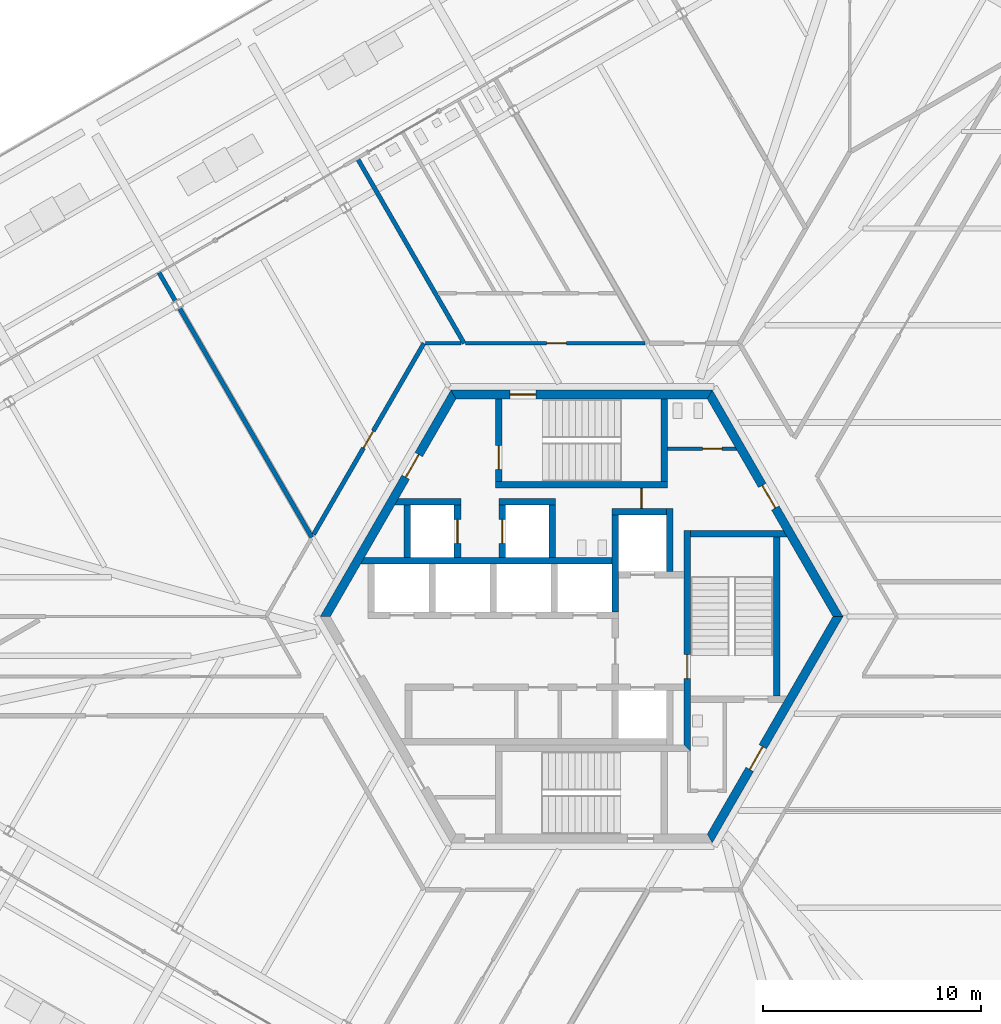
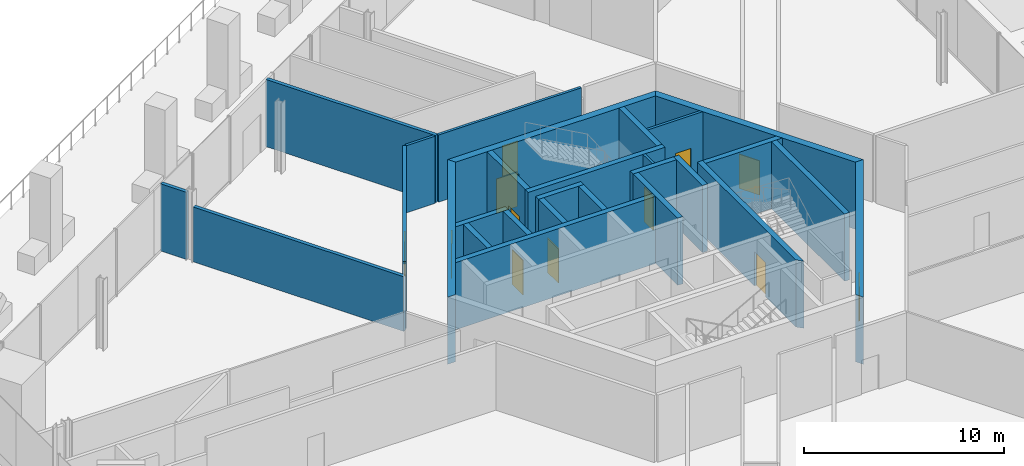
# One storey, part 28 of 38: 28 walls, 12 doors, 12 openings.
"""IFC4 building model written with IfcOpenShell, lengths in metres."""

import ifcopenshell
import ifcopenshell.guid

model = None  # the IFC model being written
_history = None  # IfcOwnerHistory: only IFC2X3 demands one
_inside = {}  # id of a spatial element -> (the spatial element, [elements in it])
_under = {}  # id of a project, library or spatial element -> (it, [spatial elements below it])
_declared = {}  # id of a project -> (the project, [libraries it declares])
_typed = {}  # id of a type object -> (the type object, [elements of that type])
_made_of = {}  # id of a material, layer set ... -> (it, [elements and type objects made of it])


def new_model(schema):
    """Start an empty IFC model of exactly this schema.

    Asked for "IFC4X3", IfcOpenShell would pick the latest addendum, in which some entities
    have other attributes; the version numbers below select the first issue.
    IFC2X3 requires an IfcOwnerHistory on every rooted entity: one is made here for all.
    """
    global model, _history
    if schema == "IFC4X3":
        model = ifcopenshell.file(schema_version=(4, 3, 0, 0))
    else:
        model = ifcopenshell.file(schema=schema)
    _inside.clear()
    _under.clear()
    _declared.clear()
    _typed.clear()
    _made_of.clear()
    _history = None
    if model.schema == "IFC2X3":
        org = make("IfcOrganization", Name="unknown")
        user = make(
            "IfcPersonAndOrganization",
            ThePerson=make("IfcPerson", FamilyName="unknown"),
            TheOrganization=org,
        )
        app = make(
            "IfcApplication",
            ApplicationDeveloper=org,
            Version="unknown",
            ApplicationFullName="unknown",
            ApplicationIdentifier="unknown",
        )
        _history = make(
            "IfcOwnerHistory",
            OwningUser=user,
            OwningApplication=app,
            ChangeAction="ADDED",
            CreationDate=0,
        )
    return model


def make(cls, **values):
    """One entity of the class cls with the attributes given. An attribute that is None is left unset."""
    return model.create_entity(
        cls, **{name: value for name, value in values.items() if value is not None}
    )


def rooted(cls, **values):
    """An entity with a GlobalId (a new one), such as an element, a storey or a relation."""
    return make(cls, GlobalId=ifcopenshell.guid.new(), OwnerHistory=_history, **values)


def si_unit(unit_type, name, prefix=None):
    """IfcSIUnit, for example si_unit("LENGTHUNIT", "METRE", prefix="MILLI")."""
    return make("IfcSIUnit", UnitType=unit_type, Prefix=prefix, Name=name)


def assignment(units):
    """IfcUnitAssignment: the units of a project."""
    return None if units is None else make("IfcUnitAssignment", Units=units)


def point(xyz):
    """IfcCartesianPoint."""
    return None if xyz is None else make("IfcCartesianPoint", Coordinates=xyz)


def direction(xyz):
    """IfcDirection."""
    return None if xyz is None else make("IfcDirection", DirectionRatios=xyz)


def frame(location, z_axis=None, x_axis=None):
    """IfcAxis2Placement3D, a coordinate frame: its origin and axes. An axis left out is left unset."""
    return make(
        "IfcAxis2Placement3D",
        Location=point(location),
        Axis=direction(z_axis),
        RefDirection=direction(x_axis),
    )


def frame_2d(location, x_axis=None):
    """IfcAxis2Placement2D, a coordinate frame in the plane: its origin and x axis."""
    return make(
        "IfcAxis2Placement2D", Location=point(location), RefDirection=direction(x_axis)
    )


def origin():
    """The frame at (0, 0, 0) with its axes left unset."""
    return frame((0.0, 0.0, 0.0))


def place(relative_to, where):
    """IfcLocalPlacement: puts the frame where relative to a parent placement (None: the world)."""
    return make(
        "IfcLocalPlacement", PlacementRelTo=relative_to, RelativePlacement=where
    )


def context(
    kind, dimensions, precision=None, world=None, true_north=None, identifier=None
):
    """IfcGeometricRepresentationContext, for example the 3D "Model" context."""
    return make(
        "IfcGeometricRepresentationContext",
        ContextIdentifier=identifier,
        ContextType=kind,
        CoordinateSpaceDimension=dimensions,
        Precision=precision,
        WorldCoordinateSystem=world,
        TrueNorth=true_north,
    )


def subcontext(parent, identifier, kind, view, scale=None):
    """IfcGeometricRepresentationSubContext, for example "Body" below "Model"."""
    return make(
        "IfcGeometricRepresentationSubContext",
        ContextIdentifier=identifier,
        ContextType=kind,
        ParentContext=parent,
        TargetScale=scale,
        TargetView=view,
    )


def project(units=None, contexts=None):
    """IfcProject with its units and contexts."""
    return rooted(
        "IfcProject",
        Name="project",
        RepresentationContexts=contexts,
        UnitsInContext=assignment(units),
    )


def spatial(cls, under=None, at=None, **own):
    """A site, building, storey or space (cls), placed at a placement, below another one or the project."""
    s = rooted(cls, ObjectPlacement=at, **own)
    if under is not None:
        _under.setdefault(under.id(), (under, []))[1].append(s)
    return s


def polyline(points):
    """IfcPolyline through the points."""
    return make("IfcPolyline", Points=[point(p) for p in points])


def profile(cls, at=None, kind="AREA", **sizes):
    """A parametric profile (cls). Its sizes go by their IFC names, for example OverallWidth=200.0."""
    return make(cls, ProfileType=kind, Position=at, **sizes)


def rectangle(**sizes):
    """IfcRectangleProfileDef."""
    return profile("IfcRectangleProfileDef", **sizes)


def outline(outer, holes=None, kind="AREA"):
    """IfcArbitraryClosedProfileDef: a profile drawn as a closed curve; with holes, ...WithVoids."""
    if holes is None:
        return make("IfcArbitraryClosedProfileDef", ProfileType=kind, OuterCurve=outer)
    return make(
        "IfcArbitraryProfileDefWithVoids",
        ProfileType=kind,
        OuterCurve=outer,
        InnerCurves=holes,
    )


def extrude(swept, where, along, depth):
    """IfcExtrudedAreaSolid: the profile swept, set in the frame where, extruded along a direction by depth."""
    return make(
        "IfcExtrudedAreaSolid",
        SweptArea=swept,
        Position=where,
        ExtrudedDirection=direction(along),
        Depth=depth,
    )


def shape(context_of_items, identifier, shape_type, items):
    """IfcShapeRepresentation: the items that make up one representation, for example the "Body"."""
    return make(
        "IfcShapeRepresentation",
        ContextOfItems=context_of_items,
        RepresentationIdentifier=identifier,
        RepresentationType=shape_type,
        Items=items,
    )


def source(mapping_origin, context_of_items, identifier, shape_type, items):
    """IfcRepresentationMap: a shape defined once, which mapped items show again and again."""
    return make(
        "IfcRepresentationMap",
        MappingOrigin=mapping_origin,
        MappedRepresentation=shape(context_of_items, identifier, shape_type, items),
    )


def transform(
    local_origin,
    x_axis=None,
    y_axis=None,
    z_axis=None,
    scale=None,
    scale2=None,
    scale3=None,
    uniform=True,
):
    """IfcCartesianTransformationOperator3D, or its non-uniform kind. x_axis, y_axis, z_axis: its Axis1, 2, 3."""
    if uniform:
        return make(
            "IfcCartesianTransformationOperator3D",
            Axis1=direction(x_axis),
            Axis2=direction(y_axis),
            LocalOrigin=point(local_origin),
            Scale=scale,
            Axis3=direction(z_axis),
        )
    return make(
        "IfcCartesianTransformationOperator3DnonUniform",
        Axis1=direction(x_axis),
        Axis2=direction(y_axis),
        LocalOrigin=point(local_origin),
        Scale=scale,
        Axis3=direction(z_axis),
        Scale2=scale2,
        Scale3=scale3,
    )


def mapped(mapping_source, mapping_target):
    """IfcMappedItem: shows the shape of a source again, moved by a transform."""
    return make(
        "IfcMappedItem", MappingSource=mapping_source, MappingTarget=mapping_target
    )


def material(Name=None, Category=None):
    """IfcMaterial."""
    return make("IfcMaterial", Name=Name, Category=Category)


def layer(
    of_material, thickness, ventilated=None, Name=None, Category=None, Priority=None
):
    """IfcMaterialLayer: one layer of a wall or slab, of a material (None: an air gap)."""
    return make(
        "IfcMaterialLayer",
        Material=of_material,
        LayerThickness=thickness,
        IsVentilated=ventilated,
        Name=Name,
        Category=Category,
        Priority=Priority,
    )


def layer_set(layers, Name=None):
    """IfcMaterialLayerSet."""
    return make("IfcMaterialLayerSet", MaterialLayers=layers, LayerSetName=Name)


def made_of(thing, what):
    """Note that an element or type object is made of a material, layer set ...; save() writes the relation."""
    if what is not None:
        _made_of.setdefault(what.id(), (what, []))[1].append(thing)
    return thing


def type_object(cls, material=None, **own):
    """A type object (cls), such as IfcWallType, which elements share."""
    return made_of(rooted(cls, **own), material)


def element(
    cls,
    number,
    at=None,
    inside=None,
    cuts=None,
    type_object=None,
    material=None,
    context=None,
    identifier="Body",
    shape_type=None,
    held_by="IfcProductDefinitionShape",
    body=None,
    shapes=None,
    **own,
):
    """One element of the class cls, such as IfcWall. Its Tag is "e" and its number.

    at: its placement. inside: the storey or other place that contains it. cuts: it is an
    opening in that element (IfcRelVoidsElement). A single representation is given by context,
    identifier, shape_type and body (its items); several are given by shapes. held_by: the class
    of the entity that holds the representations. save() writes the other relations.
    """
    e = rooted(cls, Tag="e%d" % number, ObjectPlacement=at, **own)
    if body is not None:
        shapes = [shape(context, identifier, shape_type, body)]
    if shapes is not None:
        e.Representation = make(held_by, Representations=shapes)
    if inside is not None:
        _inside.setdefault(inside.id(), (inside, []))[1].append(e)
    if cuts is not None:
        rooted(
            "IfcRelVoidsElement", RelatingBuildingElement=cuts, RelatedOpeningElement=e
        )
    if type_object is not None:
        _typed.setdefault(type_object.id(), (type_object, []))[1].append(e)
    return made_of(e, material)


def fill(opening, filler):
    """IfcRelFillsElement: the door or window that sits in an opening."""
    return rooted(
        "IfcRelFillsElement",
        RelatingOpeningElement=opening,
        RelatedBuildingElement=filler,
    )


def aggregate(whole, parts):
    """IfcRelAggregates: a whole, such as a stair, and the parts it consists of."""
    return rooted("IfcRelAggregates", RelatingObject=whole, RelatedObjects=parts)


def save(model, path):
    """Write the relations noted so far, then the file.

    IfcRelAggregates (storeys below a building ...), IfcRelContainedInSpatialStructure (elements
    in a storey), IfcRelDefinesByType, IfcRelAssociatesMaterial and IfcRelDeclares: one each for
    every whole, place, type object, material and project.
    """
    for whole, parts in _under.values():
        aggregate(whole, parts)
    for where, things in _inside.values():
        rooted(
            "IfcRelContainedInSpatialStructure",
            RelatedElements=things,
            RelatingStructure=where,
        )
    for kind, things in _typed.values():
        rooted("IfcRelDefinesByType", RelatedObjects=things, RelatingType=kind)
    for what, things in _made_of.values():
        rooted("IfcRelAssociatesMaterial", RelatedObjects=things, RelatingMaterial=what)
    for by, libraries in _declared.values():
        rooted("IfcRelDeclares", RelatingContext=by, RelatedDefinitions=libraries)
    model.write(path)


model = new_model("IFC4")

# Units and contexts
model_context = context("Model", 3, precision=1e-05, world=origin(), true_north=direction((0.0, 1.0)))
body_context = subcontext(model_context, "Body", "Model", "MODEL_VIEW")
ifc_project = project(units=[si_unit("LENGTHUNIT", "METRE"), si_unit("AREAUNIT", "SQUARE_METRE"), si_unit("VOLUMEUNIT", "CUBIC_METRE"), si_unit("PLANEANGLEUNIT", "RADIAN"), si_unit("MASSUNIT", "GRAM", prefix="KILO")], contexts=[model_context])

# Site, building, storey
site_placement = place(None, origin())
site = spatial("IfcSite", under=ifc_project, at=site_placement, CompositionType="ELEMENT")
building_placement = place(site_placement, origin())
building = spatial("IfcBuilding", under=site, at=building_placement, Name="Triune Harvest Tower", CompositionType="ELEMENT")
storey_placement = place(building_placement, frame((0.0, 0.0, 16.0)))
storey = spatial("IfcBuildingStorey", under=building, at=storey_placement, Name="L03", CompositionType="ELEMENT", Elevation=16.0)

# Wall, opening, door
ifc_material_1 = material(Name="Concrete masonry unit", Category="masonry")
ifc_layer_1 = layer(ifc_material_1, 0.14990234375)
ifc_layer_set_1 = layer_set([ifc_layer_1], Name="Concrete masonry unit")
wall_type_1 = type_object("IfcWallType", Name="Block partition 150 unrated", PredefinedType="PARTITIONING", material=ifc_layer_set_1)
wall_1_placement = place(storey_placement, frame((3.949951171875, 7.699951171875, 0.0), z_axis=(0.0, 0.0, 1.0), x_axis=(1.0, 0.0, 0.0)))
wall_1 = element("IfcWall", 1, at=wall_1_placement, inside=storey, type_object=wall_type_1, Name="Wc women south wall", PredefinedType="PARTITIONING", context=body_context, shape_type="SweptSolid", body=[
    extrude(outline(polyline([(0.0, -0.074951171875), (0.0, 0.074951171875), (3.1015625, 0.074951171875), (3.18798828125, -0.074951171875), (0.0, -0.074951171875)])), origin(), (0.0, 0.0, 1.0), 4.10009765625),
])
opening_1_placement = place(wall_1_placement, frame((1.60009765625, 0.0, 0.0)))
opening_1 = element("IfcOpeningElement", 2, at=opening_1_placement, cuts=wall_1, Name="Opening CD-WW", PredefinedType="OPENING", context=body_context, shape_type="SweptSolid", body=[
    extrude(rectangle(XDim=0.89990234375, YDim=2.10009765625, at=frame_2d((0.449951171875, 1.050048828125))), frame((0.0, 0.0849609375, 0.0), z_axis=(0.0, -1.0, 0.0), x_axis=(1.0, 0.0, 0.0)), (0.0, 0.0, 1.0), 0.169921875),
])
ifc_material_2 = material(Name="Timber C24", Category="wood")
door_type_1 = type_object("IfcDoorType", Name="WC door 900", OperationType="SINGLE_SWING_LEFT", PredefinedType="DOOR", material=ifc_material_2)
door_1_placement = place(opening_1_placement, origin())
door_1 = element("IfcDoor", 3, at=door_1_placement, inside=storey, type_object=door_type_1, Name="Door CD-WW", OperationType="SINGLE_SWING_LEFT", OverallHeight=2.10009765625, OverallWidth=0.89990234375, PredefinedType="DOOR", context=body_context, shape_type="SweptSolid", body=[
    extrude(rectangle(XDim=0.89990234375, YDim=2.10009765625, at=frame_2d((0.449951171875, 1.050048828125))), frame((0.0, 0.02490234375, 0.0), z_axis=(0.0, -1.0, 0.0), x_axis=(1.0, 0.0, 0.0)), (0.0, 0.0, 1.0), 0.050048828125),
])
fill(opening_1, door_1)

wall_2_placement = place(storey_placement, frame((2.75, 4.9599609375, 0.0), z_axis=(0.0, 0.0, 1.0), x_axis=(0.0, 1.0, 0.0)))
wall_2 = element("IfcWall", 4, at=wall_2_placement, inside=storey, type_object=wall_type_1, Name="Wc men east b wall", PredefinedType="PARTITIONING", context=body_context, shape_type="SweptSolid", body=[
    extrude(rectangle(XDim=0.929931640625, YDim=0.14990234375, at=frame_2d((0.46484375, 0.0))), origin(), (0.0, 0.0, 1.0), 4.10009765625),
])
opening_2_placement = place(wall_2_placement, frame((0.014892578125, 0.0, 0.0)))
opening_2 = element("IfcOpeningElement", 5, at=opening_2_placement, cuts=wall_2, Name="Opening CD-WM", PredefinedType="OPENING", context=body_context, shape_type="SweptSolid", body=[
    extrude(rectangle(XDim=0.89990234375, YDim=2.10009765625, at=frame_2d((0.449951171875, 1.050048828125))), frame((0.0, 0.0849609375, 0.0), z_axis=(0.0, -1.0, 0.0), x_axis=(1.0, 0.0, 0.0)), (0.0, 0.0, 1.0), 0.169921875),
])
door_2_placement = place(opening_2_placement, origin())
door_2 = element("IfcDoor", 6, at=door_2_placement, inside=storey, type_object=door_type_1, Name="Door CD-WM", OperationType="SINGLE_SWING_LEFT", OverallHeight=2.10009765625, OverallWidth=0.89990234375, PredefinedType="DOOR", context=body_context, shape_type="SweptSolid", body=[
    extrude(rectangle(XDim=0.89990234375, YDim=2.10009765625, at=frame_2d((0.449951171875, 1.050048828125))), frame((0.0, 0.02490234375, 0.0), z_axis=(0.0, -1.0, 0.0), x_axis=(1.0, 0.0, 0.0)), (0.0, 0.0, 1.0), 0.050048828125),
])
fill(opening_2, door_2)

# Wall
ifc_material_3 = material(Name="Gypsum board on steel studs", Category="steel")
ifc_layer_2 = layer(ifc_material_3, 0.14990234375)
ifc_layer_set_2 = layer_set([ifc_layer_2], Name="Gypsum board on steel studs")
wall_type_2 = type_object("IfcWallType", Name="Fire Partition 150 mm", PredefinedType="PARTITIONING", material=ifc_layer_set_2)
wall_3_placement = place(storey_placement, frame((-7.17138671875, 12.542236328125, 0.0), z_axis=(0.0, 0.0, 1.0), x_axis=(1.0, 0.0, 0.0)))
element("IfcWall", 7, at=wall_3_placement, inside=storey, type_object=wall_type_2, Name="Partition L03 037", PredefinedType="PARTITIONING", context=body_context, shape_type="SweptSolid", body=[
    extrude(rectangle(XDim=1.64111328125, YDim=0.14990234375, at=frame_2d((0.820556640625, 0.0))), origin(), (0.0, 0.0, 1.0), 4.10009765625),
])

# Wall, opening, door
wall_4_placement = place(storey_placement, frame((-5.330322265625, 12.542236328125, 0.0), z_axis=(0.0, 0.0, 1.0), x_axis=(1.0, 0.0, 0.0)))
wall_4 = element("IfcWall", 8, at=wall_4_placement, inside=storey, type_object=wall_type_2, Name="Partition L03 038", PredefinedType="PARTITIONING", context=body_context, shape_type="SweptSolid", body=[
    extrude(rectangle(XDim=8.243896484375, YDim=0.14990234375, at=frame_2d((4.1220703125, 0.0))), origin(), (0.0, 0.0, 1.0), 4.10009765625),
])
opening_3_placement = place(wall_4_placement, frame((3.727294921875, 0.0, 0.0)))
opening_3 = element("IfcOpeningElement", 9, at=opening_3_placement, cuts=wall_4, Name="Opening L03-009", PredefinedType="OPENING", context=body_context, shape_type="SweptSolid", body=[
    extrude(rectangle(XDim=0.89990234375, YDim=2.10009765625, at=frame_2d((0.449951171875, 1.050048828125))), frame((0.0, 0.0849609375, 0.0), z_axis=(0.0, -1.0, 0.0), x_axis=(1.0, 0.0, 0.0)), (0.0, 0.0, 1.0), 0.169921875),
])
ifc_material_4 = material(Name="Timber and steel door set", Category="steel")
door_type_2 = type_object("IfcDoorType", Name="Single leaf door FD30 right hand 900 x 2100", OperationType="SINGLE_SWING_RIGHT", PredefinedType="DOOR", material=ifc_material_4)
door_3_placement = place(opening_3_placement, origin())
door_3 = element("IfcDoor", 10, at=door_3_placement, inside=storey, type_object=door_type_2, Name="Door L03-009 WC lobby 03.09", OperationType="SINGLE_SWING_RIGHT", OverallHeight=2.10009765625, OverallWidth=0.89990234375, PredefinedType="DOOR", context=body_context, shape_type="SweptSolid", body=[
    extrude(rectangle(XDim=0.89990234375, YDim=2.10009765625, at=frame_2d((0.449951171875, 1.050048828125))), frame((0.0, 0.02490234375, 0.0), z_axis=(0.0, -1.0, 0.0), x_axis=(1.0, 0.0, 0.0)), (0.0, 0.0, 1.0), 0.050048828125),
])
fill(opening_3, door_3)

ifc_material_5 = material(Name="Gypsum board on steel studs", Category="steel")
ifc_layer_3 = layer(ifc_material_5, 0.199951171875)
ifc_layer_set_3 = layer_set([ifc_layer_3], Name="Gypsum board on steel studs")
wall_type_3 = type_object("IfcWallType", Name="Fire Wall 200 mm", PredefinedType="PARTITIONING", material=ifc_layer_set_3)
wall_5_placement = place(storey_placement, frame((-12.30712890625, 3.76806640625, 0.0), z_axis=(0.0, 0.0, 1.0), x_axis=(0.500011000363, 0.866019052629, 0.0)))
wall_5 = element("IfcWall", 11, at=wall_5_placement, inside=storey, type_object=wall_type_3, Name="Partition L03 058", PredefinedType="PARTITIONING", context=body_context, shape_type="SweptSolid", body=[
    extrude(rectangle(XDim=10.131591796875, YDim=0.199951171875, at=frame_2d((5.06591796875, 0.0))), origin(), (0.0, 0.0, 1.0), 4.10009765625),
])
opening_4_placement = place(wall_5_placement, frame((4.581787109375, 0.0, 0.0)))
opening_4 = element("IfcOpeningElement", 12, at=opening_4_placement, cuts=wall_5, Name="Opening L03-013", PredefinedType="OPENING", context=body_context, shape_type="SweptSolid", body=[
    extrude(rectangle(XDim=0.89990234375, YDim=2.10009765625, at=frame_2d((0.449951171875, 1.050048828125))), frame((0.0, 0.10986328125, 0.0), z_axis=(0.0, -1.0, 0.0), x_axis=(1.0, 0.0, 0.0)), (0.0, 0.0, 1.0), 0.219970703125),
])
ifc_material_6 = material(Name="Timber and steel door set", Category="steel")
door_type_3 = type_object("IfcDoorType", Name="Single leaf door FD60 right hand 900 x 2100", OperationType="SINGLE_SWING_RIGHT", PredefinedType="DOOR", material=ifc_material_6)
door_4_placement = place(opening_4_placement, origin())
door_4 = element("IfcDoor", 13, at=door_4_placement, inside=storey, type_object=door_type_3, Name="Door L03-013 Pump Room 03.13", OperationType="SINGLE_SWING_RIGHT", OverallHeight=2.10009765625, OverallWidth=0.89990234375, PredefinedType="DOOR", context=body_context, shape_type="SweptSolid", body=[
    extrude(rectangle(XDim=0.89990234375, YDim=2.10009765625, at=frame_2d((0.449951171875, 1.050048828125))), frame((0.0, 0.02490234375, 0.0), z_axis=(0.0, -1.0, 0.0), x_axis=(1.0, 0.0, 0.0)), (0.0, 0.0, 1.0), 0.050048828125),
])
fill(opening_4, door_4)

ifc_material_7 = material(Name="Concrete 70 MPa", Category="concrete")
ifc_layer_4 = layer(ifc_material_7, 0.39990234375)
ifc_layer_set_4 = layer_set([ifc_layer_4], Name="Concrete 70 MPa")
wall_type_4 = type_object("IfcWallType", Name="Core wall 400", PredefinedType="SHEAR", material=ifc_layer_set_4)
shared_shape_1 = source(origin(), body_context, "Body", "SweptSolid", [
    extrude(outline(polyline([(-0.115478515625, -0.199951171875), (11.884521484375, -0.199951171875), (11.653564453125, 0.199951171875), (0.115478515625, 0.199951171875), (-0.115478515625, -0.199951171875)])), origin(), (0.0, 0.0, 1.0), 4.10009765625),
])
wall_6_placement = place(storey_placement, frame((11.76904296875, 0.0, 0.0), z_axis=(0.0, 0.0, 1.0), x_axis=(-0.499996592174, 0.866027371285, 0.0)))
wall_6 = element("IfcWall", 14, at=wall_6_placement, inside=storey, type_object=wall_type_4, Name="Hexagon 0 wall", PredefinedType="SHEAR", context=body_context, shape_type="MappedRepresentation", body=[
    mapped(shared_shape_1, transform((0.0, 0.0, 0.0), scale=1.0)),
])
opening_5_placement = place(wall_6_placement, frame((5.75048828125, 0.0, 0.0)))
opening_5 = element("IfcOpeningElement", 15, at=opening_5_placement, cuts=wall_6, Name="Opening CD-WCP", PredefinedType="OPENING", context=body_context, shape_type="SweptSolid", body=[
    extrude(rectangle(XDim=1.199951171875, YDim=2.10009765625, at=frame_2d((0.60009765625, 1.050048828125))), frame((0.0, 0.2099609375, 0.0), z_axis=(0.0, -1.0, 0.0), x_axis=(1.0, 0.0, 0.0)), (0.0, 0.0, 1.0), 0.419921875),
])
ifc_material_8 = material(Name="Steel S235", Category="steel")
door_type_4 = type_object("IfcDoorType", Name="Lobby door 1200 FD120", OperationType="SINGLE_SWING_LEFT", PredefinedType="DOOR", material=ifc_material_8)
door_5_placement = place(opening_5_placement, frame((1.199951171875, 0.0, 0.0), z_axis=(0.0, 0.0, 1.0), x_axis=(-1.0, 0.0, 0.0)))
door_5 = element("IfcDoor", 16, at=door_5_placement, inside=storey, type_object=door_type_4, Name="Door CD-WCP", OperationType="SINGLE_SWING_RIGHT", OverallHeight=2.10009765625, OverallWidth=1.199951171875, PredefinedType="DOOR", context=body_context, shape_type="SweptSolid", body=[
    extrude(rectangle(XDim=1.199951171875, YDim=2.10009765625, at=frame_2d((0.60009765625, 1.050048828125))), frame((0.0, 0.02490234375, 0.0), z_axis=(0.0, -1.0, 0.0), x_axis=(1.0, 0.0, 0.0)), (0.0, 0.0, 1.0), 0.050048828125),
])
fill(opening_5, door_5)

wall_7_placement = place(storey_placement, frame((5.884521484375, 10.1923828125, 0.0), z_axis=(0.0, 0.0, 1.0), x_axis=(-1.0, 0.0, 0.0)))
wall_7 = element("IfcWall", 17, at=wall_7_placement, inside=storey, type_object=wall_type_4, Name="Hexagon 1 wall", PredefinedType="SHEAR", context=body_context, shape_type="MappedRepresentation", body=[
    mapped(shared_shape_1, transform((0.0, 0.0, 0.0), scale=1.0)),
])
opening_6_placement = place(wall_7_placement, frame((7.984619140625, 0.0, 0.0)))
opening_6 = element("IfcOpeningElement", 18, at=opening_6_placement, cuts=wall_7, Name="Opening CD-S1P", PredefinedType="OPENING", context=body_context, shape_type="SweptSolid", body=[
    extrude(rectangle(XDim=1.199951171875, YDim=2.10009765625, at=frame_2d((0.60009765625, 1.050048828125))), frame((0.0, 0.2099609375, 0.0), z_axis=(0.0, -1.0, 0.0), x_axis=(1.0, 0.0, 0.0)), (0.0, 0.0, 1.0), 0.419921875),
])
ifc_material_9 = material(Name="Steel S235", Category="steel")
door_type_5 = type_object("IfcDoorType", Name="Stair door 1200 FD120", OperationType="SINGLE_SWING_LEFT", PredefinedType="DOOR", material=ifc_material_9)
door_6_placement = place(opening_6_placement, frame((1.199951171875, 0.0, 0.0), z_axis=(0.0, 0.0, 1.0), x_axis=(-1.0, 0.0, 0.0)))
door_6 = element("IfcDoor", 19, at=door_6_placement, inside=storey, type_object=door_type_5, Name="Door CD-S1P", OperationType="SINGLE_SWING_RIGHT", OverallHeight=2.10009765625, OverallWidth=1.199951171875, PredefinedType="DOOR", context=body_context, shape_type="SweptSolid", body=[
    extrude(rectangle(XDim=1.199951171875, YDim=2.10009765625, at=frame_2d((0.60009765625, 1.050048828125))), frame((0.0, 0.02490234375, 0.0), z_axis=(0.0, -1.0, 0.0), x_axis=(1.0, 0.0, 0.0)), (0.0, 0.0, 1.0), 0.050048828125),
])
fill(opening_6, door_6)

wall_8_placement = place(storey_placement, frame((-5.884521484375, 10.1923828125, 0.0), z_axis=(0.0, 0.0, 1.0), x_axis=(-0.499996592174, -0.866027371285, 0.0)))
wall_8 = element("IfcWall", 20, at=wall_8_placement, inside=storey, type_object=wall_type_4, Name="Hexagon 2 wall", PredefinedType="SHEAR", context=body_context, shape_type="MappedRepresentation", body=[
    mapped(shared_shape_1, transform((0.0, 0.0, 0.0), scale=1.0)),
])
opening_7_placement = place(wall_8_placement, frame((3.1845703125, 0.0, 0.0)))
opening_7 = element("IfcOpeningElement", 21, at=opening_7_placement, cuts=wall_8, Name="Opening CD-SVP", PredefinedType="OPENING", context=body_context, shape_type="SweptSolid", body=[
    extrude(rectangle(XDim=1.199951171875, YDim=2.10009765625, at=frame_2d((0.60009765625, 1.050048828125))), frame((0.0, 0.2099609375, 0.0), z_axis=(0.0, -1.0, 0.0), x_axis=(1.0, 0.0, 0.0)), (0.0, 0.0, 1.0), 0.419921875),
])
ifc_material_10 = material(Name="Steel S235", Category="steel")
door_type_6 = type_object("IfcDoorType", Name="Service door 1200 FD120", OperationType="SINGLE_SWING_LEFT", PredefinedType="DOOR", material=ifc_material_10)
door_7_placement = place(opening_7_placement, frame((1.199951171875, 0.0, 0.0), z_axis=(0.0, 0.0, 1.0), x_axis=(-1.0, 0.0, 0.0)))
door_7 = element("IfcDoor", 22, at=door_7_placement, inside=storey, type_object=door_type_6, Name="Door CD-SVP", OperationType="SINGLE_SWING_RIGHT", OverallHeight=2.10009765625, OverallWidth=1.199951171875, PredefinedType="DOOR", context=body_context, shape_type="SweptSolid", body=[
    extrude(rectangle(XDim=1.199951171875, YDim=2.10009765625, at=frame_2d((0.60009765625, 1.050048828125))), frame((0.0, 0.02490234375, 0.0), z_axis=(0.0, -1.0, 0.0), x_axis=(1.0, 0.0, 0.0)), (0.0, 0.0, 1.0), 0.050048828125),
])
fill(opening_7, door_7)

wall_9_placement = place(storey_placement, frame((5.884521484375, -10.1923828125, 0.0), z_axis=(0.0, 0.0, 1.0), x_axis=(0.499996592174, 0.866027371285, 0.0)))
wall_9 = element("IfcWall", 23, at=wall_9_placement, inside=storey, type_object=wall_type_4, Name="Hexagon 5 wall", PredefinedType="SHEAR", context=body_context, shape_type="MappedRepresentation", body=[
    mapped(shared_shape_1, transform((0.0, 0.0, 0.0), scale=1.0)),
])
opening_8_placement = place(wall_9_placement, frame((3.66455078125, 0.0, 0.0)))
opening_8 = element("IfcOpeningElement", 24, at=opening_8_placement, cuts=wall_9, Name="Opening CD-DP", PredefinedType="OPENING", context=body_context, shape_type="SweptSolid", body=[
    extrude(rectangle(XDim=1.199951171875, YDim=2.10009765625, at=frame_2d((0.60009765625, 1.050048828125))), frame((0.0, 0.2099609375, 0.0), z_axis=(0.0, -1.0, 0.0), x_axis=(1.0, 0.0, 0.0)), (0.0, 0.0, 1.0), 0.419921875),
])
door_8_placement = place(opening_8_placement, frame((1.199951171875, 0.0, 0.0), z_axis=(0.0, 0.0, 1.0), x_axis=(-1.0, 0.0, 0.0)))
door_8 = element("IfcDoor", 25, at=door_8_placement, inside=storey, type_object=door_type_5, Name="Door CD-DP", OperationType="SINGLE_SWING_RIGHT", OverallHeight=2.10009765625, OverallWidth=1.199951171875, PredefinedType="DOOR", context=body_context, shape_type="SweptSolid", body=[
    extrude(rectangle(XDim=1.199951171875, YDim=2.10009765625, at=frame_2d((0.60009765625, 1.050048828125))), frame((0.0, 0.02490234375, 0.0), z_axis=(0.0, -1.0, 0.0), x_axis=(1.0, 0.0, 0.0)), (0.0, 0.0, 1.0), 0.050048828125),
])
fill(opening_8, door_8)

# Walls
ifc_material_11 = material(Name="Concrete 70 MPa", Category="concrete")
ifc_layer_5 = layer(ifc_material_11, 0.300048828125)
ifc_layer_set_5 = layer_set([ifc_layer_5], Name="Concrete 70 MPa")
wall_type_5 = type_object("IfcWallType", Name="Core wall 300", PredefinedType="SHEAR", material=ifc_layer_set_5)
shared_shape_2 = source(origin(), body_context, "Body", "SweptSolid", [
    extrude(outline(polyline([(11.199951171875, -0.14990234375), (-0.34912109375, -0.14990234375), (-0.17578125, 0.14990234375), (11.199951171875, 0.14990234375), (11.199951171875, -0.14990234375)])), origin(), (0.0, 0.0, 1.0), 4.10009765625),
])
wall_10_placement = place(storey_placement, frame((-9.800048828125, 2.56005859375, 0.0), z_axis=(0.0, 0.0, 1.0), x_axis=(1.0, 0.0, 0.0)))
element("IfcWall", 26, at=wall_10_placement, inside=storey, type_object=wall_type_5, Name="North back wall", PredefinedType="SHEAR", context=body_context, shape_type="MappedRepresentation", body=[
    mapped(shared_shape_2, transform((0.0, 0.0, 0.0), scale=1.0)),
])
shared_shape_3 = source(origin(), body_context, "Body", "SweptSolid", [
    extrude(rectangle(XDim=2.5, YDim=0.300048828125, at=frame_2d((1.25, 0.0))), origin(), (0.0, 0.0, 1.0), 4.10009765625),
])
wall_11_placement = place(storey_placement, frame((1.39990234375, 4.81005859375, 0.0), z_axis=(0.0, 0.0, 1.0), x_axis=(1.0, 0.0, 0.0)))
element("IfcWall", 27, at=wall_11_placement, inside=storey, type_object=wall_type_5, Name="Ff1 back wall", PredefinedType="SHEAR", context=body_context, shape_type="MappedRepresentation", body=[
    mapped(shared_shape_3, transform((0.0, 0.0, 0.0), scale=1.0)),
])
shared_shape_4 = source(origin(), body_context, "Body", "SweptSolid", [
    extrude(rectangle(XDim=4.449951171875, YDim=0.300048828125, at=frame_2d((2.22509765625, 0.0))), origin(), (0.0, 0.0, 1.0), 4.10009765625),
])
wall_12_placement = place(storey_placement, frame((1.550048828125, 0.2099609375, 0.0), z_axis=(0.0, 0.0, 1.0), x_axis=(0.0, 1.0, 0.0)))
element("IfcWall", 28, at=wall_12_placement, inside=storey, type_object=wall_type_5, Name="Ff1 west wall", PredefinedType="SHEAR", context=body_context, shape_type="MappedRepresentation", body=[
    mapped(shared_shape_4, transform((0.0, 0.0, 0.0), scale=1.0)),
])
shared_shape_5 = source(origin(), body_context, "Body", "SweptSolid", [
    extrude(rectangle(XDim=2.89990234375, YDim=0.300048828125, at=frame_2d((1.449951171875, 0.0))), origin(), (0.0, 0.0, 1.0), 4.10009765625),
])
wall_13_placement = place(storey_placement, frame((4.050048828125, 2.06005859375, 0.0), z_axis=(0.0, 0.0, 1.0), x_axis=(0.0, 1.0, 0.0)))
element("IfcWall", 29, at=wall_13_placement, inside=storey, type_object=wall_type_5, Name="Ff1 east wall", PredefinedType="SHEAR", context=body_context, shape_type="MappedRepresentation", body=[
    mapped(shared_shape_5, transform((0.0, 0.0, 0.0), scale=1.0)),
])

# Wall, opening, door
shared_shape_6 = source(origin(), body_context, "Body", "SweptSolid", [
    extrude(outline(polyline([(-0.14990234375, -0.14990234375), (9.989990234375, -0.14990234375), (9.989990234375, 0.14990234375), (0.14990234375, 0.14990234375), (-0.14990234375, -0.14990234375)])), origin(), (0.0, 0.0, 1.0), 4.10009765625),
])
wall_14_placement = place(storey_placement, frame((4.85009765625, -6.0400390625, 0.0), z_axis=(0.0, 0.0, 1.0), x_axis=(0.0, 1.0, 0.0)))
wall_14 = element("IfcWall", 30, at=wall_14_placement, inside=storey, type_object=wall_type_5, Name="Stair e west wall", PredefinedType="SHEAR", context=body_context, shape_type="MappedRepresentation", body=[
    mapped(shared_shape_6, transform((0.0, 0.0, 0.0), scale=1.0)),
])
opening_9_placement = place(wall_14_placement, frame((3.18994140625, 0.0, 0.0)))
opening_9 = element("IfcOpeningElement", 31, at=opening_9_placement, cuts=wall_14, Name="Opening CD-S3L", PredefinedType="OPENING", context=body_context, shape_type="SweptSolid", body=[
    extrude(rectangle(XDim=1.10009765625, YDim=2.10009765625, at=frame_2d((0.550048828125, 1.050048828125))), frame((0.0, 0.16015625, 0.0), z_axis=(0.0, -1.0, 0.0), x_axis=(1.0, 0.0, 0.0)), (0.0, 0.0, 1.0), 0.320068359375),
])
ifc_material_12 = material(Name="Steel S235", Category="steel")
door_type_7 = type_object("IfcDoorType", Name="Stair door 1100 FD120", OperationType="SINGLE_SWING_LEFT", PredefinedType="DOOR", material=ifc_material_12)
door_9_placement = place(opening_9_placement, frame((1.10009765625, 0.0, 0.0), z_axis=(0.0, 0.0, 1.0), x_axis=(-1.0, 0.0, 0.0)))
door_9 = element("IfcDoor", 32, at=door_9_placement, inside=storey, type_object=door_type_7, Name="Door CD-S3L", OperationType="SINGLE_SWING_RIGHT", OverallHeight=2.10009765625, OverallWidth=1.10009765625, PredefinedType="DOOR", context=body_context, shape_type="SweptSolid", body=[
    extrude(rectangle(XDim=1.10009765625, YDim=2.10009765625, at=frame_2d((0.550048828125, 1.050048828125))), frame((0.0, 0.02490234375, 0.0), z_axis=(0.0, -1.0, 0.0), x_axis=(1.0, 0.0, 0.0)), (0.0, 0.0, 1.0), 0.050048828125),
])
fill(opening_9, door_9)

# Walls
shared_shape_7 = source(origin(), body_context, "Body", "SweptSolid", [
    extrude(outline(polyline([(0.0, -0.14990234375), (0.0, 0.14990234375), (4.260009765625, 0.14990234375), (4.43310546875, -0.14990234375), (0.0, -0.14990234375)])), origin(), (0.0, 0.0, 1.0), 4.10009765625),
])
wall_15_placement = place(storey_placement, frame((5.0, 3.800048828125, 0.0), z_axis=(0.0, 0.0, 1.0), x_axis=(1.0, 0.0, 0.0)))
element("IfcWall", 33, at=wall_15_placement, inside=storey, type_object=wall_type_5, Name="Stair e north wall", PredefinedType="SHEAR", context=body_context, shape_type="MappedRepresentation", body=[
    mapped(shared_shape_7, transform((0.0, 0.0, 0.0), scale=1.0)),
])
shared_shape_8 = source(origin(), body_context, "Body", "SweptSolid", [
    extrude(rectangle(XDim=7.2998046875, YDim=0.300048828125, at=frame_2d((3.64990234375, 0.0))), origin(), (0.0, 0.0, 1.0), 4.10009765625),
])
wall_16_placement = place(storey_placement, frame((8.949951171875, -3.64990234375, 0.0), z_axis=(0.0, 0.0, 1.0), x_axis=(0.0, 1.0, 0.0)))
element("IfcWall", 34, at=wall_16_placement, inside=storey, type_object=wall_type_5, Name="Stair e east wall", PredefinedType="SHEAR", context=body_context, shape_type="MappedRepresentation", body=[
    mapped(shared_shape_8, transform((0.0, 0.0, 0.0), scale=1.0)),
])
shared_shape_9 = source(origin(), body_context, "Body", "SweptSolid", [
    extrude(rectangle(XDim=7.89990234375, YDim=0.300048828125, at=frame_2d((3.949951171875, 0.0))), origin(), (0.0, 0.0, 1.0), 4.10009765625),
])
wall_17_placement = place(storey_placement, frame((-3.949951171875, 6.0400390625, 0.0), z_axis=(0.0, 0.0, 1.0), x_axis=(1.0, 0.0, 0.0)))
element("IfcWall", 35, at=wall_17_placement, inside=storey, type_object=wall_type_5, Name="Stair n south wall", PredefinedType="SHEAR", context=body_context, shape_type="MappedRepresentation", body=[
    mapped(shared_shape_9, transform((0.0, 0.0, 0.0), scale=1.0)),
])

# Wall, opening, door
shared_shape_10 = source(origin(), body_context, "Body", "SweptSolid", [
    extrude(outline(polyline([(0.0, -0.14990234375), (0.0, 0.14990234375), (3.80419921875, 0.14990234375), (3.80419921875, -0.14990234375), (0.0, -0.14990234375)])), origin(), (0.0, 0.0, 1.0), 4.10009765625),
])
wall_18_placement = place(storey_placement, frame((-3.800048828125, 6.18994140625, 0.0), z_axis=(0.0, 0.0, 1.0), x_axis=(0.0, 1.0, 0.0)))
wall_18 = element("IfcWall", 36, at=wall_18_placement, inside=storey, type_object=wall_type_5, Name="Stair n west wall", PredefinedType="SHEAR", context=body_context, shape_type="MappedRepresentation", body=[
    mapped(shared_shape_10, transform((0.0, 0.0, 0.0), scale=1.0)),
])
opening_10_placement = place(wall_18_placement, frame((0.56005859375, 0.0, 0.0)))
opening_10 = element("IfcOpeningElement", 37, at=opening_10_placement, cuts=wall_18, Name="Opening CD-S1L", PredefinedType="OPENING", context=body_context, shape_type="SweptSolid", body=[
    extrude(rectangle(XDim=1.10009765625, YDim=2.10009765625, at=frame_2d((0.550048828125, 1.050048828125))), frame((0.0, 0.16015625, 0.0), z_axis=(0.0, -1.0, 0.0), x_axis=(1.0, 0.0, 0.0)), (0.0, 0.0, 1.0), 0.320068359375),
])
door_10_placement = place(opening_10_placement, frame((1.10009765625, 0.0, 0.0), z_axis=(0.0, 0.0, 1.0), x_axis=(-1.0, 0.0, 0.0)))
door_10 = element("IfcDoor", 38, at=door_10_placement, inside=storey, type_object=door_type_7, Name="Door CD-S1L", OperationType="SINGLE_SWING_RIGHT", OverallHeight=2.10009765625, OverallWidth=1.10009765625, PredefinedType="DOOR", context=body_context, shape_type="SweptSolid", body=[
    extrude(rectangle(XDim=1.10009765625, YDim=2.10009765625, at=frame_2d((0.550048828125, 1.050048828125))), frame((0.0, 0.02490234375, 0.0), z_axis=(0.0, -1.0, 0.0), x_axis=(1.0, 0.0, 0.0)), (0.0, 0.0, 1.0), 0.050048828125),
])
fill(opening_10, door_10)

# Walls
wall_19_placement = place(storey_placement, frame((3.800048828125, 6.18994140625, 0.0), z_axis=(0.0, 0.0, 1.0), x_axis=(0.0, 1.0, 0.0)))
element("IfcWall", 39, at=wall_19_placement, inside=storey, type_object=wall_type_5, Name="Stair n east wall", PredefinedType="SHEAR", context=body_context, shape_type="MappedRepresentation", body=[
    mapped(shared_shape_10, transform((0.0, 0.0, 0.0), scale=1.0)),
])
shared_shape_11 = source(origin(), body_context, "Body", "SweptSolid", [
    extrude(outline(polyline([(2.60009765625, -0.14990234375), (-0.440185546875, -0.14990234375), (-0.26708984375, 0.14990234375), (2.60009765625, 0.14990234375), (2.60009765625, -0.14990234375)])), origin(), (0.0, 0.0, 1.0), 4.10009765625),
])
wall_20_placement = place(storey_placement, frame((-8.14990234375, 5.260009765625, 0.0), z_axis=(0.0, 0.0, 1.0), x_axis=(1.0, 0.0, 0.0)))
element("IfcWall", 40, at=wall_20_placement, inside=storey, type_object=wall_type_5, Name="Sv1 north wall", PredefinedType="SHEAR", context=body_context, shape_type="MappedRepresentation", body=[
    mapped(shared_shape_11, transform((0.0, 0.0, 0.0), scale=1.0)),
])
shared_shape_12 = source(origin(), body_context, "Body", "SweptSolid", [
    extrude(rectangle(XDim=2.400146484375, YDim=0.300048828125, at=frame_2d((1.2001953125, 0.0))), origin(), (0.0, 0.0, 1.0), 4.10009765625),
])
wall_21_placement = place(storey_placement, frame((-8.0, 2.7099609375, 0.0), z_axis=(0.0, 0.0, 1.0), x_axis=(0.0, 1.0, 0.0)))
element("IfcWall", 41, at=wall_21_placement, inside=storey, type_object=wall_type_5, Name="Sv1 west wall", PredefinedType="SHEAR", context=body_context, shape_type="MappedRepresentation", body=[
    mapped(shared_shape_12, transform((0.0, 0.0, 0.0), scale=1.0)),
])

# Wall, opening, door
wall_22_placement = place(storey_placement, frame((-5.699951171875, 2.7099609375, 0.0), z_axis=(0.0, 0.0, 1.0), x_axis=(0.0, 1.0, 0.0)))
wall_22 = element("IfcWall", 42, at=wall_22_placement, inside=storey, type_object=wall_type_5, Name="Sv1 east wall", PredefinedType="SHEAR", context=body_context, shape_type="MappedRepresentation", body=[
    mapped(shared_shape_12, transform((0.0, 0.0, 0.0), scale=1.0)),
])
opening_11_placement = place(wall_22_placement, frame((0.64990234375, 0.0, 0.0)))
opening_11 = element("IfcOpeningElement", 43, at=opening_11_placement, cuts=wall_22, Name="Opening LD-SV1-03", PredefinedType="OPENING", context=body_context, shape_type="SweptSolid", body=[
    extrude(rectangle(XDim=1.10009765625, YDim=2.10009765625, at=frame_2d((0.550048828125, 1.050048828125))), frame((0.0, 0.16015625, 0.0), z_axis=(0.0, -1.0, 0.0), x_axis=(1.0, 0.0, 0.0)), (0.0, 0.0, 1.0), 0.320068359375),
])
ifc_material_13 = material(Name="Stainless steel AISI 304", Category="steel")
door_type_8 = type_object("IfcDoorType", Name="Landing door 1100 x 2100", OperationType="DOUBLE_DOOR_SLIDING", PredefinedType="DOOR", material=ifc_material_13)
door_11_placement = place(opening_11_placement, origin())
door_11 = element("IfcDoor", 44, at=door_11_placement, inside=storey, type_object=door_type_8, Name="Door LD-SV1-03", OperationType="DOUBLE_DOOR_SLIDING", OverallHeight=2.10009765625, OverallWidth=1.10009765625, PredefinedType="DOOR", context=body_context, shape_type="SweptSolid", body=[
    extrude(rectangle(XDim=1.10009765625, YDim=2.10009765625, at=frame_2d((0.550048828125, 1.050048828125))), frame((0.0, 0.02490234375, 0.0), z_axis=(0.0, -1.0, 0.0), x_axis=(1.0, 0.0, 0.0)), (0.0, 0.0, 1.0), 0.050048828125),
])
fill(opening_11, door_11)

wall_23_placement = place(storey_placement, frame((-3.64990234375, 2.7099609375, 0.0), z_axis=(0.0, 0.0, 1.0), x_axis=(0.0, 1.0, 0.0)))
wall_23 = element("IfcWall", 45, at=wall_23_placement, inside=storey, type_object=wall_type_5, Name="Sv2 west wall", PredefinedType="SHEAR", context=body_context, shape_type="MappedRepresentation", body=[
    mapped(shared_shape_12, transform((0.0, 0.0, 0.0), scale=1.0)),
])
opening_12_placement = place(wall_23_placement, frame((0.64990234375, 0.0, 0.0)))
opening_12 = element("IfcOpeningElement", 46, at=opening_12_placement, cuts=wall_23, Name="Opening LD-SV2-03", PredefinedType="OPENING", context=body_context, shape_type="SweptSolid", body=[
    extrude(rectangle(XDim=1.10009765625, YDim=2.10009765625, at=frame_2d((0.550048828125, 1.050048828125))), frame((0.0, 0.16015625, 0.0), z_axis=(0.0, -1.0, 0.0), x_axis=(1.0, 0.0, 0.0)), (0.0, 0.0, 1.0), 0.320068359375),
])
door_12_placement = place(opening_12_placement, origin())
door_12 = element("IfcDoor", 47, at=door_12_placement, inside=storey, type_object=door_type_8, Name="Door LD-SV2-03", OperationType="DOUBLE_DOOR_SLIDING", OverallHeight=2.10009765625, OverallWidth=1.10009765625, PredefinedType="DOOR", context=body_context, shape_type="SweptSolid", body=[
    extrude(rectangle(XDim=1.10009765625, YDim=2.10009765625, at=frame_2d((0.550048828125, 1.050048828125))), frame((0.0, 0.02490234375, 0.0), z_axis=(0.0, -1.0, 0.0), x_axis=(1.0, 0.0, 0.0)), (0.0, 0.0, 1.0), 0.050048828125),
])
fill(opening_12, door_12)

# Walls
wall_24_placement = place(storey_placement, frame((-1.35009765625, 2.7099609375, 0.0), z_axis=(0.0, 0.0, 1.0), x_axis=(0.0, 1.0, 0.0)))
element("IfcWall", 48, at=wall_24_placement, inside=storey, type_object=wall_type_5, Name="Sv2 east wall", PredefinedType="SHEAR", context=body_context, shape_type="MappedRepresentation", body=[
    mapped(shared_shape_12, transform((0.0, 0.0, 0.0), scale=1.0)),
])
shared_shape_13 = source(origin(), body_context, "Body", "SweptSolid", [
    extrude(rectangle(XDim=2.60009765625, YDim=0.300048828125, at=frame_2d((1.300048828125, 0.0))), origin(), (0.0, 0.0, 1.0), 4.10009765625),
])
wall_25_placement = place(storey_placement, frame((-3.800048828125, 5.260009765625, 0.0), z_axis=(0.0, 0.0, 1.0), x_axis=(1.0, 0.0, 0.0)))
element("IfcWall", 49, at=wall_25_placement, inside=storey, type_object=wall_type_5, Name="Sv2 north wall", PredefinedType="SHEAR", context=body_context, shape_type="MappedRepresentation", body=[
    mapped(shared_shape_13, transform((0.0, 0.0, 0.0), scale=1.0)),
])
shared_shape_14 = source(origin(), body_context, "Body", "SweptSolid", [
    extrude(rectangle(XDim=1.49853515625, YDim=0.199951171875, at=frame_2d((0.749267578125, 0.0))), origin(), (0.0, 0.0, 1.0), 4.10009765625),
])
wall_26_placement = place(storey_placement, frame((-19.40185546875, 15.78515625, 0.0), z_axis=(0.0, 0.0, 1.0), x_axis=(0.499976292358, -0.866039090965, 0.0)))
element("IfcWall", 50, at=wall_26_placement, inside=storey, type_object=wall_type_3, Name="Partition L03 003", PredefinedType="PARTITIONING", context=body_context, shape_type="MappedRepresentation", body=[
    mapped(shared_shape_14, transform((0.0, 0.0, 0.0), scale=1.0)),
])
shared_shape_15 = source(origin(), body_context, "Body", "SweptSolid", [
    extrude(rectangle(XDim=12.147705078125, YDim=0.199951171875, at=frame_2d((6.07373046875, 0.0))), origin(), (0.0, 0.0, 1.0), 3.343017578125),
])
wall_27_placement = place(storey_placement, frame((-18.45947265625, 14.152587890625, 0.0), z_axis=(0.0, 0.0, 1.0), x_axis=(0.500006022464, -0.866021926685, 0.0)))
element("IfcWall", 51, at=wall_27_placement, inside=storey, type_object=wall_type_3, Name="Partition L03 004", PredefinedType="PARTITIONING", context=body_context, shape_type="MappedRepresentation", body=[
    mapped(shared_shape_15, transform((0.0, 0.0, 0.0), scale=1.0)),
])
shared_shape_16 = source(origin(), body_context, "Body", "SweptSolid", [
    extrude(rectangle(XDim=9.812744140625, YDim=0.199951171875, at=frame_2d((4.90625, 0.0))), origin(), (0.0, 0.0, 1.0), 4.10009765625),
])
wall_28_placement = place(storey_placement, frame((-10.300048828125, 21.040283203125, 0.0), z_axis=(0.0, 0.0, 1.0), x_axis=(0.49999238347, -0.866029801145, 0.0)))
element("IfcWall", 52, at=wall_28_placement, inside=storey, type_object=wall_type_3, Name="Partition L03 007", PredefinedType="PARTITIONING", context=body_context, shape_type="MappedRepresentation", body=[
    mapped(shared_shape_16, transform((0.0, 0.0, 0.0), scale=1.0)),
])

save(model, "model.ifc")
